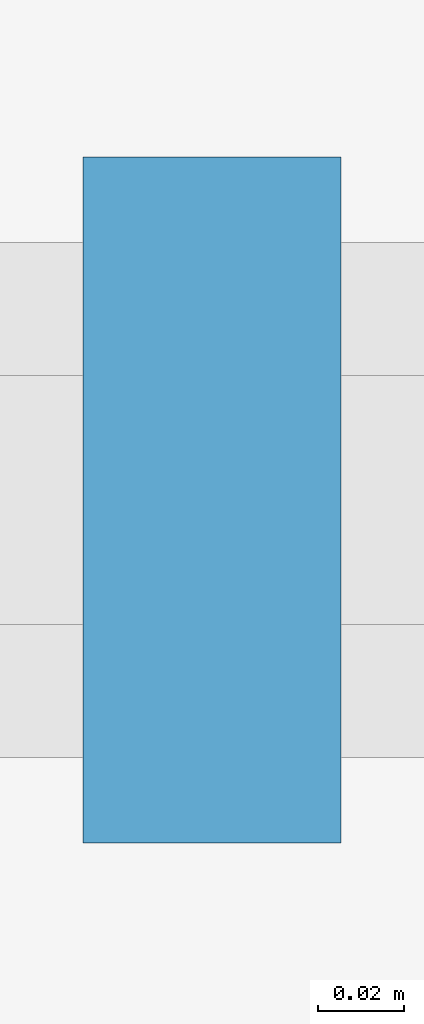
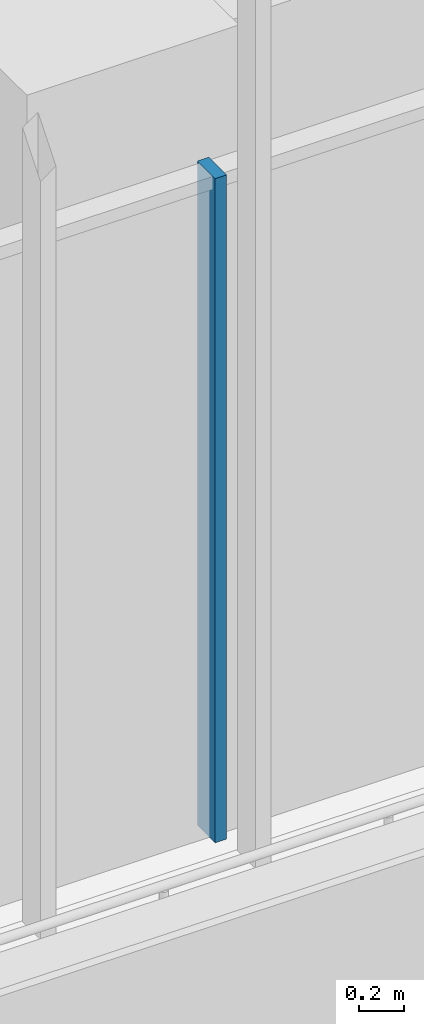
# One storey, part 14 of 127: 1 member, 1 element without a shape of its own.
"""IFC4 building model written with IfcOpenShell, lengths in metres."""

from ifc_helpers import new_model, si_unit, direction, frame, origin, origin_2d, place, context, subcontext, project, spatial, rectangle, extrude, material, material_profile, profile_set, type_object, element, aggregate, save


model = new_model("IFC4")

# Units and contexts
model_context = context("Model", 3, precision=1e-05, world=origin(), true_north=direction((0.0, 1.0)))
body_context = subcontext(model_context, "Body", "Model", "MODEL_VIEW")
ifc_project = project(units=[si_unit("LENGTHUNIT", "METRE"), si_unit("AREAUNIT", "SQUARE_METRE"), si_unit("VOLUMEUNIT", "CUBIC_METRE"), si_unit("PLANEANGLEUNIT", "RADIAN"), si_unit("MASSUNIT", "GRAM", prefix="KILO")], contexts=[model_context])

# Site, building, storey
site_placement = place(None, origin())
site = spatial("IfcSite", under=ifc_project, at=site_placement, CompositionType="ELEMENT")
building_placement = place(site_placement, origin())
building = spatial("IfcBuilding", under=site, at=building_placement, Name="Sandreach Pilgrim Tower", CompositionType="ELEMENT")
storey_placement = place(building_placement, frame((0.0, 0.0, 257.0)))
storey = spatial("IfcBuildingStorey", under=building, at=storey_placement, Name="L64", CompositionType="ELEMENT", Elevation=257.0)

# Curtain wall, member
ifc_material_1 = material(Name="Aluminium framed curtain wall", Category="aluminium")
curtain_wall_type = type_object("IfcCurtainWallType", Name="Suite tower curtain wall", PredefinedType="NOTDEFINED", material=ifc_material_1)
curtain_wall_placement = place(storey_placement, origin())
curtain_wall = element("IfcCurtainWall", 1, at=curtain_wall_placement, inside=storey, type_object=curtain_wall_type, Name="CW-4 L64 SA", PredefinedType="NOTDEFINED")
ifc_material_2 = material(Name="Aluminium extrusion", Category="aluminium")
ifc_material_profile = material_profile(ifc_material_2, rectangle(XDim=0.06005859375, YDim=0.159912109375, at=origin_2d()), Name="CW-4M 60X160")
ifc_profile_set = profile_set([ifc_material_profile], Name="Aluminium extrusion")
member_type = type_object("IfcMemberType", Name="CW-4 mullion", PredefinedType="MULLION", material=ifc_profile_set)
member_placement = place(storey_placement, frame((0.0, -24.858154296875, 0.0), z_axis=(0.0, 0.0, 1.0), x_axis=(-1.0, 0.0, 0.0)))
member = element("IfcMember", 2, at=member_placement, type_object=member_type, Name="CW-4 mullion 3", PredefinedType="MULLION", context=body_context, shape_type="SweptSolid", body=[
    extrude(rectangle(XDim=0.06005859375, YDim=0.159912109375, at=origin_2d()), origin(), (0.0, 0.0, 1.0), 3.639892578125),
])
aggregate(curtain_wall, [member])

save(model, "model.ifc")
